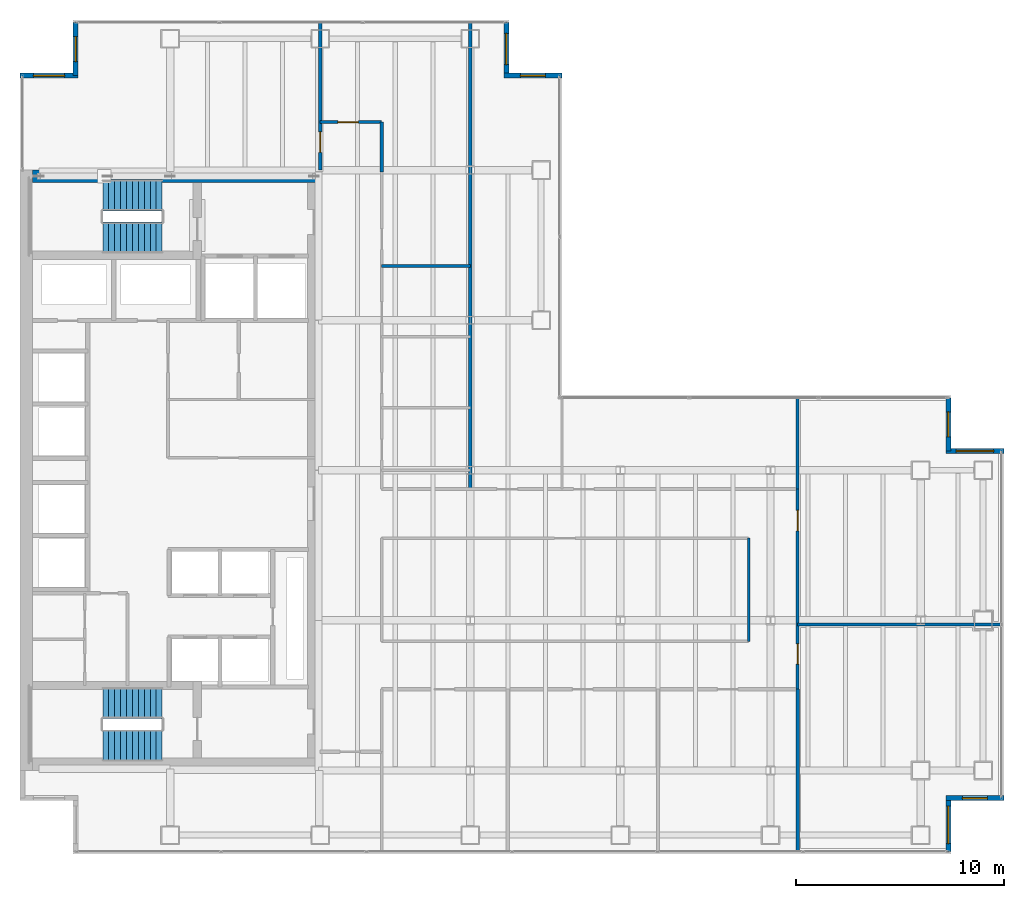
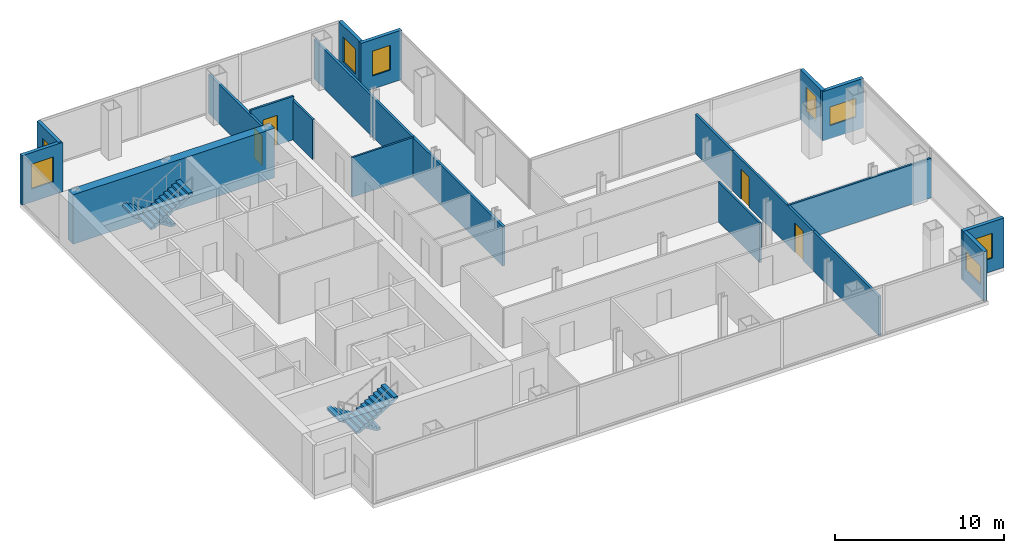
# One storey, part 22 of 23: 19 walls, 8 windows, 4 doors, 4 stair flights, 12 openings, 2 elements without a shape of their own.
"""IFC4 building model written with IfcOpenShell, lengths in metres."""

from ifc_helpers import new_model, si_unit, direction, frame, frame_2d, origin, place, context, subcontext, project, spatial, polyline, rectangle, outline, extrude, material, layer, layer_set, type_object, element, fill, aggregate, save


model = new_model("IFC4")

# Units and contexts
model_context = context("Model", 3, precision=1e-05, world=origin(), true_north=direction((0.0, 1.0)))
body_context = subcontext(model_context, "Body", "Model", "MODEL_VIEW")
ifc_project = project(units=[si_unit("LENGTHUNIT", "METRE"), si_unit("AREAUNIT", "SQUARE_METRE"), si_unit("VOLUMEUNIT", "CUBIC_METRE"), si_unit("PLANEANGLEUNIT", "RADIAN"), si_unit("MASSUNIT", "GRAM", prefix="KILO")], contexts=[model_context])

# Site, building, storey
site_placement = place(None, origin())
site = spatial("IfcSite", under=ifc_project, at=site_placement, CompositionType="ELEMENT")
building_placement = place(site_placement, origin())
building = spatial("IfcBuilding", under=site, at=building_placement, Name="Cobrela Telecom Tower", CompositionType="ELEMENT")
storey_placement = place(building_placement, frame((0.0, 0.0, 129.14990234375)))
storey = spatial("IfcBuildingStorey", under=building, at=storey_placement, Name="L32", CompositionType="ELEMENT", Elevation=129.14990234375)

# Wall
ifc_material_1 = material(Name="Concrete C50/60", Category="concrete")
ifc_layer_1 = layer(ifc_material_1, 0.60009765625)
ifc_layer_set_1 = layer_set([ifc_layer_1], Name="Concrete C50/60")
wall_type_1 = type_object("IfcWallType", Name="WALL-CORE-C50-600", PredefinedType="SHEAR", material=ifc_layer_set_1)
wall_1_placement = place(storey_placement, frame((0.60009765625, 35.699951171875, 0.0), z_axis=(0.0, 0.0, 1.0), x_axis=(1.0, 0.0, 0.0)))
element("IfcWall", 1, at=wall_1_placement, inside=storey, type_object=wall_type_1, Name="L32 North Core Shear Wall", PredefinedType="SHEAR", context=body_context, shape_type="SweptSolid", body=[
    extrude(rectangle(XDim=13.7998046875, YDim=0.60009765625, at=frame_2d((6.89990234375, 0.0))), origin(), (0.0, 0.0, 1.0), 3.580078125),
])

# Wall, opening, window
ifc_material_2 = material(Name="Concrete C40/50", Category="concrete")
ifc_layer_2 = layer(ifc_material_2, 0.239990234375)
ifc_layer_set_2 = layer_set([ifc_layer_2], Name="Concrete C40/50")
wall_type_2 = type_object("IfcWallType", Name="WALL-EXT-300", PredefinedType="STANDARD", material=ifc_layer_set_2)
wall_2_placement = place(storey_placement, frame((0.0, 40.530029296875, 0.0), z_axis=(0.0, 0.0, 1.0), x_axis=(1.0, 0.0, 0.0)))
wall_2 = element("IfcWall", 2, at=wall_2_placement, inside=storey, type_object=wall_type_2, Name="L32 Insulated Facade Wall 05", PredefinedType="STANDARD", context=body_context, shape_type="SweptSolid", body=[
    extrude(rectangle(XDim=2.7900390625, YDim=0.239990234375, at=frame_2d((1.39501953125, 0.0))), origin(), (0.0, 0.0, 1.0), 3.580078125),
])
opening_1_placement = place(wall_2_placement, frame((0.64501953125, 0.0, 0.949951171875)))
opening_1 = element("IfcOpeningElement", 3, at=opening_1_placement, cuts=wall_2, Name="Opening WN-45", PredefinedType="OPENING", context=body_context, shape_type="SweptSolid", body=[
    extrude(rectangle(XDim=1.5, YDim=1.800048828125, at=frame_2d((0.75, 0.89990234375))), frame((0.0, 0.1318359375, 0.0), z_axis=(0.0, -1.0, 0.0), x_axis=(1.0, 0.0, 0.0)), (0.0, 0.0, 1.0), 0.263916015625),
])
ifc_material_3 = material(Name="Solar-Control Bronze Low-E Glass", Category="glass")
window_type_1 = type_object("IfcWindowType", Name="WIN-MOD-1500", PartitioningType="SINGLE_PANEL", PredefinedType="WINDOW", material=ifc_material_3)
window_1_placement = place(opening_1_placement, origin())
window_1 = element("IfcWindow", 4, at=window_1_placement, inside=storey, type_object=window_type_1, Name="L32 Corner Notch Facade Window 152", OverallHeight=1.800048828125, OverallWidth=1.5, PartitioningType="SINGLE_PANEL", PredefinedType="WINDOW", context=body_context, shape_type="SweptSolid", body=[
    extrude(rectangle(XDim=1.5, YDim=1.800048828125, at=frame_2d((0.75, 0.89990234375))), frame((0.0, 0.030029296875, 0.0), z_axis=(0.0, -1.0, 0.0), x_axis=(1.0, 0.0, 0.0)), (0.0, 0.0, 1.0), 0.06005859375),
])
fill(opening_1, window_1)

wall_3_placement = place(storey_placement, frame((2.669921875, 40.530029296875, 0.0), z_axis=(0.0, 0.0, 1.0), x_axis=(0.0, 1.0, 0.0)))
wall_3 = element("IfcWall", 5, at=wall_3_placement, inside=storey, type_object=wall_type_2, Name="L32 Insulated Facade Wall 06", PredefinedType="STANDARD", context=body_context, shape_type="SweptSolid", body=[
    extrude(rectangle(XDim=2.550048828125, YDim=0.239990234375, at=frame_2d((1.27490234375, 0.0))), origin(), (0.0, 0.0, 1.0), 3.580078125),
])
opening_2_placement = place(wall_3_placement, frame((0.675048828125, 0.0, 0.949951171875)))
opening_2 = element("IfcOpeningElement", 6, at=opening_2_placement, cuts=wall_3, Name="Opening WN-19", PredefinedType="OPENING", context=body_context, shape_type="SweptSolid", body=[
    extrude(rectangle(XDim=1.199951171875, YDim=1.800048828125, at=frame_2d((0.60009765625, 0.89990234375))), frame((0.0, 0.1318359375, 0.0), z_axis=(0.0, -1.0, 0.0), x_axis=(1.0, 0.0, 0.0)), (0.0, 0.0, 1.0), 0.263916015625),
])
window_type_2 = type_object("IfcWindowType", Name="WIN-MOD-1200", PartitioningType="SINGLE_PANEL", PredefinedType="WINDOW", material=ifc_material_3)
window_2_placement = place(opening_2_placement, origin())
window_2 = element("IfcWindow", 7, at=window_2_placement, inside=storey, type_object=window_type_2, Name="L32 Corner Notch Facade Window 153", OverallHeight=1.800048828125, OverallWidth=1.199951171875, PartitioningType="SINGLE_PANEL", PredefinedType="WINDOW", context=body_context, shape_type="SweptSolid", body=[
    extrude(rectangle(XDim=1.199951171875, YDim=1.800048828125, at=frame_2d((0.60009765625, 0.89990234375))), frame((0.0, 0.030029296875, 0.0), z_axis=(0.0, -1.0, 0.0), x_axis=(1.0, 0.0, 0.0)), (0.0, 0.0, 1.0), 0.06005859375),
])
fill(opening_2, window_2)

wall_4_placement = place(storey_placement, frame((23.330078125, 43.080078125, 0.0), z_axis=(0.0, 0.0, 1.0), x_axis=(0.0, -1.0, 0.0)))
wall_4 = element("IfcWall", 8, at=wall_4_placement, inside=storey, type_object=wall_type_2, Name="L32 Insulated Facade Wall 08", PredefinedType="STANDARD", context=body_context, shape_type="SweptSolid", body=[
    extrude(rectangle(XDim=2.550048828125, YDim=0.239990234375, at=frame_2d((1.27490234375, 0.0))), origin(), (0.0, 0.0, 1.0), 3.580078125),
])
opening_3_placement = place(wall_4_placement, frame((0.52490234375, 0.0, 0.949951171875)))
opening_3 = element("IfcOpeningElement", 9, at=opening_3_placement, cuts=wall_4, Name="Opening WN-45", PredefinedType="OPENING", context=body_context, shape_type="SweptSolid", body=[
    extrude(rectangle(XDim=1.5, YDim=1.800048828125, at=frame_2d((0.75, 0.89990234375))), frame((0.0, 0.1318359375, 0.0), z_axis=(0.0, -1.0, 0.0), x_axis=(1.0, 0.0, 0.0)), (0.0, 0.0, 1.0), 0.263916015625),
])
window_3_placement = place(opening_3_placement, origin())
window_3 = element("IfcWindow", 10, at=window_3_placement, inside=storey, type_object=window_type_1, Name="L32 Corner Notch Facade Window 154", OverallHeight=1.800048828125, OverallWidth=1.5, PartitioningType="SINGLE_PANEL", PredefinedType="WINDOW", context=body_context, shape_type="SweptSolid", body=[
    extrude(rectangle(XDim=1.5, YDim=1.800048828125, at=frame_2d((0.75, 0.89990234375))), frame((0.0, 0.030029296875, 0.0), z_axis=(0.0, -1.0, 0.0), x_axis=(1.0, 0.0, 0.0)), (0.0, 0.0, 1.0), 0.06005859375),
])
fill(opening_3, window_3)

wall_5_placement = place(storey_placement, frame((23.2099609375, 40.530029296875, 0.0), z_axis=(0.0, 0.0, 1.0), x_axis=(1.0, 0.0, 0.0)))
wall_5 = element("IfcWall", 11, at=wall_5_placement, inside=storey, type_object=wall_type_2, Name="L32 Insulated Facade Wall 09", PredefinedType="STANDARD", context=body_context, shape_type="SweptSolid", body=[
    extrude(rectangle(XDim=2.7900390625, YDim=0.239990234375, at=frame_2d((1.39501953125, 0.0))), origin(), (0.0, 0.0, 1.0), 3.580078125),
])
opening_4_placement = place(wall_5_placement, frame((0.794921875, 0.0, 0.949951171875)))
opening_4 = element("IfcOpeningElement", 12, at=opening_4_placement, cuts=wall_5, Name="Opening WN-19", PredefinedType="OPENING", context=body_context, shape_type="SweptSolid", body=[
    extrude(rectangle(XDim=1.199951171875, YDim=1.800048828125, at=frame_2d((0.60009765625, 0.89990234375))), frame((0.0, 0.1318359375, 0.0), z_axis=(0.0, -1.0, 0.0), x_axis=(1.0, 0.0, 0.0)), (0.0, 0.0, 1.0), 0.263916015625),
])
window_4_placement = place(opening_4_placement, origin())
window_4 = element("IfcWindow", 13, at=window_4_placement, inside=storey, type_object=window_type_2, Name="L32 Corner Notch Facade Window 155", OverallHeight=1.800048828125, OverallWidth=1.199951171875, PartitioningType="SINGLE_PANEL", PredefinedType="WINDOW", context=body_context, shape_type="SweptSolid", body=[
    extrude(rectangle(XDim=1.199951171875, YDim=1.800048828125, at=frame_2d((0.60009765625, 0.89990234375))), frame((0.0, 0.030029296875, 0.0), z_axis=(0.0, -1.0, 0.0), x_axis=(1.0, 0.0, 0.0)), (0.0, 0.0, 1.0), 0.06005859375),
])
fill(opening_4, window_4)

wall_6_placement = place(storey_placement, frame((44.530029296875, 25.080078125, 0.0), z_axis=(0.0, 0.0, 1.0), x_axis=(0.0, -1.0, 0.0)))
wall_6 = element("IfcWall", 14, at=wall_6_placement, inside=storey, type_object=wall_type_2, Name="L32 Insulated Facade Wall 12", PredefinedType="STANDARD", context=body_context, shape_type="SweptSolid", body=[
    extrude(rectangle(XDim=2.550048828125, YDim=0.239990234375, at=frame_2d((1.27490234375, 0.0))), origin(), (0.0, 0.0, 1.0), 3.580078125),
])
opening_5_placement = place(wall_6_placement, frame((0.675048828125, 0.0, 0.949951171875)))
opening_5 = element("IfcOpeningElement", 15, at=opening_5_placement, cuts=wall_6, Name="Opening WN-19", PredefinedType="OPENING", context=body_context, shape_type="SweptSolid", body=[
    extrude(rectangle(XDim=1.199951171875, YDim=1.800048828125, at=frame_2d((0.60009765625, 0.89990234375))), frame((0.0, 0.1318359375, 0.0), z_axis=(0.0, -1.0, 0.0), x_axis=(1.0, 0.0, 0.0)), (0.0, 0.0, 1.0), 0.263916015625),
])
window_5_placement = place(opening_5_placement, origin())
window_5 = element("IfcWindow", 16, at=window_5_placement, inside=storey, type_object=window_type_2, Name="L32 Corner Notch Facade Window 156", OverallHeight=1.800048828125, OverallWidth=1.199951171875, PartitioningType="SINGLE_PANEL", PredefinedType="WINDOW", context=body_context, shape_type="SweptSolid", body=[
    extrude(rectangle(XDim=1.199951171875, YDim=1.800048828125, at=frame_2d((0.60009765625, 0.89990234375))), frame((0.0, 0.030029296875, 0.0), z_axis=(0.0, -1.0, 0.0), x_axis=(1.0, 0.0, 0.0)), (0.0, 0.0, 1.0), 0.06005859375),
])
fill(opening_5, window_5)

wall_7_placement = place(storey_placement, frame((44.409912109375, 22.530029296875, 0.0), z_axis=(0.0, 0.0, 1.0), x_axis=(1.0, 0.0, 0.0)))
wall_7 = element("IfcWall", 17, at=wall_7_placement, inside=storey, type_object=wall_type_2, Name="L32 Insulated Facade Wall 13", PredefinedType="STANDARD", context=body_context, shape_type="SweptSolid", body=[
    extrude(rectangle(XDim=2.7900390625, YDim=0.239990234375, at=frame_2d((1.39501953125, 0.0))), origin(), (0.0, 0.0, 1.0), 3.580078125),
])
opening_6_placement = place(wall_7_placement, frame((0.4951171875, 0.0, 0.949951171875)))
opening_6 = element("IfcOpeningElement", 18, at=opening_6_placement, cuts=wall_7, Name="Opening WN-27", PredefinedType="OPENING", context=body_context, shape_type="SweptSolid", body=[
    extrude(rectangle(XDim=1.800048828125, YDim=1.35009765625, at=frame_2d((0.89990234375, 0.675048828125))), frame((0.0, 0.1318359375, 0.0), z_axis=(0.0, -1.0, 0.0), x_axis=(1.0, 0.0, 0.0)), (0.0, 0.0, 1.0), 0.263916015625),
])
window_type_3 = type_object("IfcWindowType", Name="WIN-CLER-1800", PartitioningType="SINGLE_PANEL", PredefinedType="WINDOW", material=ifc_material_3)
window_6_placement = place(opening_6_placement, origin())
window_6 = element("IfcWindow", 19, at=window_6_placement, inside=storey, type_object=window_type_3, Name="L32 Corner Notch Facade Window 157", OverallHeight=1.35009765625, OverallWidth=1.800048828125, PartitioningType="SINGLE_PANEL", PredefinedType="WINDOW", context=body_context, shape_type="SweptSolid", body=[
    extrude(rectangle(XDim=1.800048828125, YDim=1.35009765625, at=frame_2d((0.89990234375, 0.675048828125))), frame((0.0, 0.030029296875, 0.0), z_axis=(0.0, -1.0, 0.0), x_axis=(1.0, 0.0, 0.0)), (0.0, 0.0, 1.0), 0.06005859375),
])
fill(opening_6, window_6)

wall_8_placement = place(storey_placement, frame((47.199951171875, 5.8701171875, 0.0), z_axis=(0.0, 0.0, 1.0), x_axis=(-1.0, 0.0, 0.0)))
wall_8 = element("IfcWall", 20, at=wall_8_placement, inside=storey, type_object=wall_type_2, Name="L32 Insulated Facade Wall 15", PredefinedType="STANDARD", context=body_context, shape_type="SweptSolid", body=[
    extrude(rectangle(XDim=2.7900390625, YDim=0.239990234375, at=frame_2d((1.39501953125, 0.0))), origin(), (0.0, 0.0, 1.0), 3.580078125),
])
opening_7_placement = place(wall_8_placement, frame((0.794921875, 0.0, 0.949951171875)))
opening_7 = element("IfcOpeningElement", 21, at=opening_7_placement, cuts=wall_8, Name="Opening WN-19", PredefinedType="OPENING", context=body_context, shape_type="SweptSolid", body=[
    extrude(rectangle(XDim=1.199951171875, YDim=1.800048828125, at=frame_2d((0.60009765625, 0.89990234375))), frame((0.0, 0.1318359375, 0.0), z_axis=(0.0, -1.0, 0.0), x_axis=(1.0, 0.0, 0.0)), (0.0, 0.0, 1.0), 0.263916015625),
])
window_7_placement = place(opening_7_placement, origin())
window_7 = element("IfcWindow", 22, at=window_7_placement, inside=storey, type_object=window_type_2, Name="L32 Corner Notch Facade Window 158", OverallHeight=1.800048828125, OverallWidth=1.199951171875, PartitioningType="SINGLE_PANEL", PredefinedType="WINDOW", context=body_context, shape_type="SweptSolid", body=[
    extrude(rectangle(XDim=1.199951171875, YDim=1.800048828125, at=frame_2d((0.60009765625, 0.89990234375))), frame((0.0, 0.030029296875, 0.0), z_axis=(0.0, -1.0, 0.0), x_axis=(1.0, 0.0, 0.0)), (0.0, 0.0, 1.0), 0.06005859375),
])
fill(opening_7, window_7)

wall_9_placement = place(storey_placement, frame((44.530029296875, 5.8701171875, 0.0), z_axis=(0.0, 0.0, 1.0), x_axis=(0.0, -1.0, 0.0)))
wall_9 = element("IfcWall", 23, at=wall_9_placement, inside=storey, type_object=wall_type_2, Name="L32 Insulated Facade Wall 16", PredefinedType="STANDARD", context=body_context, shape_type="SweptSolid", body=[
    extrude(rectangle(XDim=2.550048828125, YDim=0.239990234375, at=frame_2d((1.27490234375, 0.0))), origin(), (0.0, 0.0, 1.0), 3.580078125),
])
opening_8_placement = place(wall_9_placement, frame((0.375, 0.0, 0.949951171875)))
opening_8 = element("IfcOpeningElement", 24, at=opening_8_placement, cuts=wall_9, Name="Opening WN-27", PredefinedType="OPENING", context=body_context, shape_type="SweptSolid", body=[
    extrude(rectangle(XDim=1.800048828125, YDim=1.35009765625, at=frame_2d((0.89990234375, 0.675048828125))), frame((0.0, 0.1318359375, 0.0), z_axis=(0.0, -1.0, 0.0), x_axis=(1.0, 0.0, 0.0)), (0.0, 0.0, 1.0), 0.263916015625),
])
window_8_placement = place(opening_8_placement, origin())
window_8 = element("IfcWindow", 25, at=window_8_placement, inside=storey, type_object=window_type_3, Name="L32 Corner Notch Facade Window 159", OverallHeight=1.35009765625, OverallWidth=1.800048828125, PartitioningType="SINGLE_PANEL", PredefinedType="WINDOW", context=body_context, shape_type="SweptSolid", body=[
    extrude(rectangle(XDim=1.800048828125, YDim=1.35009765625, at=frame_2d((0.89990234375, 0.675048828125))), frame((0.0, 0.030029296875, 0.0), z_axis=(0.0, -1.0, 0.0), x_axis=(1.0, 0.0, 0.0)), (0.0, 0.0, 1.0), 0.06005859375),
])
fill(opening_8, window_8)

# Walls
ifc_material_4 = material(Name="Fire-Rated Gypsum Plasterboard")
ifc_layer_3 = layer(ifc_material_4, 0.125)
ifc_layer_set_3 = layer_set([ifc_layer_3], Name="Fire-Rated Gypsum Plasterboard")
wall_type_3 = type_object("IfcWallType", Name="WALL-PART-125", PredefinedType="PARTITIONING", material=ifc_layer_set_3)
wall_10_placement = place(storey_placement, frame((34.949951171875, 13.39990234375, 0.0), z_axis=(0.0, 0.0, 1.0), x_axis=(0.0, 1.0, 0.0)))
element("IfcWall", 26, at=wall_10_placement, inside=storey, type_object=wall_type_3, Name="L32 Interior Partition W-ISL-E", PredefinedType="PARTITIONING", context=body_context, shape_type="SweptSolid", body=[
    extrude(rectangle(XDim=4.9501953125, YDim=0.125, at=frame_2d((2.47509765625, 0.0))), origin(), (0.0, 0.0, 1.0), 2.869140625),
])
wall_11_placement = place(storey_placement, frame((17.35009765625, 31.39990234375, 0.0), z_axis=(0.0, 0.0, 1.0), x_axis=(1.0, 0.0, 0.0)))
element("IfcWall", 27, at=wall_11_placement, inside=storey, type_object=wall_type_3, Name="L32 Interior Partition W-WC-3", PredefinedType="PARTITIONING", context=body_context, shape_type="SweptSolid", body=[
    extrude(rectangle(XDim=4.25, YDim=0.125, at=frame_2d((2.125, 0.0))), origin(), (0.0, 0.0, 1.0), 2.869140625),
])

# Wall, opening, door
ifc_layer_4 = layer(ifc_material_4, 0.135009765625)
ifc_layer_set_4 = layer_set([ifc_layer_4], Name="Fire-Rated Gypsum Plasterboard")
wall_type_4 = type_object("IfcWallType", Name="WALL-PART-135", PredefinedType="PARTITIONING", material=ifc_layer_set_4)
wall_12_placement = place(storey_placement, frame((14.39990234375, 38.300048828125, 0.0), z_axis=(0.0, 0.0, 1.0), x_axis=(1.0, 0.0, 0.0)))
wall_12 = element("IfcWall", 28, at=wall_12_placement, inside=storey, type_object=wall_type_4, Name="L32 Interior Partition W-UWN-T", PredefinedType="PARTITIONING", context=body_context, shape_type="SweptSolid", body=[
    extrude(rectangle(XDim=2.9501953125, YDim=0.135009765625, at=frame_2d((1.47509765625, 0.0))), origin(), (0.0, 0.0, 1.0), 3.148193359375),
])
opening_9_placement = place(wall_12_placement, frame((0.85009765625, 0.0, 0.0)))
opening_9 = element("IfcOpeningElement", 29, at=opening_9_placement, cuts=wall_12, Name="Opening DR-17", PredefinedType="OPENING", context=body_context, shape_type="SweptSolid", body=[
    extrude(rectangle(XDim=0.97998046875, YDim=2.14990234375, at=frame_2d((0.489990234375, 1.074951171875))), frame((0.0, 0.07958984375, 0.0), z_axis=(0.0, -1.0, 0.0), x_axis=(1.0, 0.0, 0.0)), (0.0, 0.0, 1.0), 0.158935546875),
])
ifc_material_5 = material(Name="Solid Engineered Oak Timber", Category="wood")
door_type = type_object("IfcDoorType", Name="DOOR-INT-980", OperationType="SINGLE_SWING_LEFT", PredefinedType="DOOR", material=ifc_material_5)
door_1_placement = place(opening_9_placement, origin())
door_1 = element("IfcDoor", 30, at=door_1_placement, inside=storey, type_object=door_type, Name="L32 Door DR-17", OperationType="SINGLE_SWING_RIGHT", OverallHeight=2.14990234375, OverallWidth=0.97998046875, PredefinedType="DOOR", context=body_context, shape_type="SweptSolid", body=[
    extrude(rectangle(XDim=0.97998046875, YDim=2.14990234375, at=frame_2d((0.489990234375, 1.074951171875))), frame((0.0, 0.02490234375, 0.0), z_axis=(0.0, -1.0, 0.0), x_axis=(1.0, 0.0, 0.0)), (0.0, 0.0, 1.0), 0.050048828125),
])
fill(opening_9, door_1)

# Wall
wall_13_placement = place(storey_placement, frame((37.300048828125, 14.199951171875, 0.0), z_axis=(0.0, 0.0, 1.0), x_axis=(1.0, 0.0, 0.0)))
element("IfcWall", 31, at=wall_13_placement, inside=storey, type_object=wall_type_4, Name="L32 Interior Partition W-UFE-H", PredefinedType="PARTITIONING", context=body_context, shape_type="SweptSolid", body=[
    extrude(rectangle(XDim=9.780029296875, YDim=0.135009765625, at=frame_2d((4.89013671875, 0.0))), origin(), (0.0, 0.0, 1.0), 2.869140625),
])

# Wall, openings, doors
ifc_layer_5 = layer(ifc_material_4, 0.14990234375)
ifc_layer_set_5 = layer_set([ifc_layer_5], Name="Fire-Rated Gypsum Plasterboard")
wall_type_5 = type_object("IfcWallType", Name="WALL-PART-150", PredefinedType="PARTITIONING", material=ifc_layer_set_5)
wall_14_placement = place(storey_placement, frame((37.300048828125, 11.10009765625, 0.0), z_axis=(0.0, 0.0, 1.0), x_axis=(0.0, 1.0, 0.0)))
wall_14 = element("IfcWall", 32, at=wall_14_placement, inside=storey, type_object=wall_type_5, Name="L32 Interior Partition W-UE-E", PredefinedType="PARTITIONING", context=body_context, shape_type="SweptSolid", body=[
    extrude(rectangle(XDim=9.599853515625, YDim=0.14990234375, at=frame_2d((4.7998046875, 0.0))), origin(), (0.0, 0.0, 1.0), 2.869140625),
])
opening_10_placement = place(wall_14_placement, frame((1.199951171875, 0.0, 0.0)))
opening_10 = element("IfcOpeningElement", 33, at=opening_10_placement, cuts=wall_14, Name="Opening DR-17", PredefinedType="OPENING", context=body_context, shape_type="SweptSolid", body=[
    extrude(rectangle(XDim=0.97998046875, YDim=2.14990234375, at=frame_2d((0.489990234375, 1.074951171875))), frame((0.0, 0.0869140625, 0.0), z_axis=(0.0, -1.0, 0.0), x_axis=(1.0, 0.0, 0.0)), (0.0, 0.0, 1.0), 0.173828125),
])
opening_11_placement = place(wall_14_placement, frame((7.60009765625, 0.0, 0.0)))
opening_11 = element("IfcOpeningElement", 34, at=opening_11_placement, cuts=wall_14, Name="Opening DR-17", PredefinedType="OPENING", context=body_context, shape_type="SweptSolid", body=[
    extrude(rectangle(XDim=0.97998046875, YDim=2.14990234375, at=frame_2d((0.489990234375, 1.074951171875))), frame((0.0, 0.0869140625, 0.0), z_axis=(0.0, -1.0, 0.0), x_axis=(1.0, 0.0, 0.0)), (0.0, 0.0, 1.0), 0.173828125),
])
door_2_placement = place(opening_10_placement, origin())
door_2 = element("IfcDoor", 35, at=door_2_placement, inside=storey, type_object=door_type, Name="L32 Door DR-17", OperationType="SINGLE_SWING_LEFT", OverallHeight=2.14990234375, OverallWidth=0.97998046875, PredefinedType="DOOR", context=body_context, shape_type="SweptSolid", body=[
    extrude(rectangle(XDim=0.97998046875, YDim=2.14990234375, at=frame_2d((0.489990234375, 1.074951171875))), frame((0.0, 0.02490234375, 0.0), z_axis=(0.0, -1.0, 0.0), x_axis=(1.0, 0.0, 0.0)), (0.0, 0.0, 1.0), 0.050048828125),
])
fill(opening_10, door_2)
door_3_placement = place(opening_11_placement, origin())
door_3 = element("IfcDoor", 36, at=door_3_placement, inside=storey, type_object=door_type, Name="L32 Door DR-17", OperationType="SINGLE_SWING_RIGHT", OverallHeight=2.14990234375, OverallWidth=0.97998046875, PredefinedType="DOOR", context=body_context, shape_type="SweptSolid", body=[
    extrude(rectangle(XDim=0.97998046875, YDim=2.14990234375, at=frame_2d((0.489990234375, 1.074951171875))), frame((0.0, 0.02490234375, 0.0), z_axis=(0.0, -1.0, 0.0), x_axis=(1.0, 0.0, 0.0)), (0.0, 0.0, 1.0), 0.050048828125),
])
fill(opening_11, door_3)

# Walls
wall_15_placement = place(storey_placement, frame((17.35009765625, 35.89990234375, 0.0), z_axis=(0.0, 0.0, 1.0), x_axis=(0.0, 1.0, 0.0)))
element("IfcWall", 37, at=wall_15_placement, inside=storey, type_object=wall_type_5, Name="L32 Interior Partition W-UWN-E", PredefinedType="PARTITIONING", context=body_context, shape_type="SweptSolid", body=[
    extrude(rectangle(XDim=2.400146484375, YDim=0.14990234375, at=frame_2d((1.2001953125, 0.0))), origin(), (0.0, 0.0, 1.0), 2.869140625),
])
wall_16_placement = place(storey_placement, frame((37.300048828125, 20.699951171875, 0.0), z_axis=(0.0, 0.0, 1.0), x_axis=(0.0, 1.0, 0.0)))
element("IfcWall", 38, at=wall_16_placement, inside=storey, type_object=wall_type_5, Name="L32 Interior Partition W-UFE-N", PredefinedType="PARTITIONING", context=body_context, shape_type="SweptSolid", body=[
    extrude(rectangle(XDim=4.380126953125, YDim=0.14990234375, at=frame_2d((2.18994140625, 0.0))), origin(), (0.0, 0.0, 1.0), 2.869140625),
])
ifc_layer_6 = layer(ifc_material_4, 0.159912109375)
ifc_layer_set_6 = layer_set([ifc_layer_6], Name="Fire-Rated Gypsum Plasterboard")
wall_type_6 = type_object("IfcWallType", Name="WALL-PART-160", PredefinedType="PARTITIONING", material=ifc_layer_set_6)
wall_17_placement = place(storey_placement, frame((21.60009765625, 20.699951171875, 0.0), z_axis=(0.0, 0.0, 1.0), x_axis=(0.0, 1.0, 0.0)))
element("IfcWall", 39, at=wall_17_placement, inside=storey, type_object=wall_type_6, Name="L32 Interior Partition W-WC-E", PredefinedType="PARTITIONING", context=body_context, shape_type="SweptSolid", body=[
    extrude(rectangle(XDim=22.380126953125, YDim=0.159912109375, at=frame_2d((11.18994140625, 0.0))), origin(), (0.0, 0.0, 1.0), 2.869140625),
])

# Wall, opening, door
wall_18_placement = place(storey_placement, frame((14.39990234375, 36.0, 0.0), z_axis=(0.0, 0.0, 1.0), x_axis=(0.0, 1.0, 0.0)))
wall_18 = element("IfcWall", 40, at=wall_18_placement, inside=storey, type_object=wall_type_6, Name="L32 Interior Partition W-UWN-W", PredefinedType="PARTITIONING", context=body_context, shape_type="SweptSolid", body=[
    extrude(rectangle(XDim=7.080078125, YDim=0.159912109375, at=frame_2d((3.5400390625, 0.0))), origin(), (0.0, 0.0, 1.0), 2.869140625),
])
opening_12_placement = place(wall_18_placement, frame((0.85009765625, 0.0, 0.0)))
opening_12 = element("IfcOpeningElement", 41, at=opening_12_placement, cuts=wall_18, Name="Opening DR-17", PredefinedType="OPENING", context=body_context, shape_type="SweptSolid", body=[
    extrude(rectangle(XDim=0.97998046875, YDim=2.14990234375, at=frame_2d((0.489990234375, 1.074951171875))), frame((0.0, 0.091796875, 0.0), z_axis=(0.0, -1.0, 0.0), x_axis=(1.0, 0.0, 0.0)), (0.0, 0.0, 1.0), 0.183837890625),
])
door_4_placement = place(opening_12_placement, origin())
door_4 = element("IfcDoor", 42, at=door_4_placement, inside=storey, type_object=door_type, Name="L32 Door DR-17", OperationType="SINGLE_SWING_LEFT", OverallHeight=2.14990234375, OverallWidth=0.97998046875, PredefinedType="DOOR", context=body_context, shape_type="SweptSolid", body=[
    extrude(rectangle(XDim=0.97998046875, YDim=2.14990234375, at=frame_2d((0.489990234375, 1.074951171875))), frame((0.0, 0.02490234375, 0.0), z_axis=(0.0, -1.0, 0.0), x_axis=(1.0, 0.0, 0.0)), (0.0, 0.0, 1.0), 0.050048828125),
])
fill(opening_12, door_4)

# Wall
wall_19_placement = place(storey_placement, frame((37.300048828125, 3.320068359375, 0.0), z_axis=(0.0, 0.0, 1.0), x_axis=(0.0, 1.0, 0.0)))
element("IfcWall", 43, at=wall_19_placement, inside=storey, type_object=wall_type_6, Name="L32 Interior Partition W-UFE-S", PredefinedType="PARTITIONING", context=body_context, shape_type="SweptSolid", body=[
    extrude(rectangle(XDim=7.780029296875, YDim=0.159912109375, at=frame_2d((3.89013671875, 0.0))), origin(), (0.0, 0.0, 1.0), 2.869140625),
])

# Stair, stair flights
stair_type = type_object("IfcStairType", Name="STAIR-CORE", PredefinedType="HALF_TURN_STAIR", material=ifc_material_2)
stair_1_placement = place(storey_placement, origin())
stair_1 = element("IfcStair", 44, at=stair_1_placement, inside=storey, type_object=stair_type, Name="L32 Smokeproof Exit Stair ST1", PredefinedType="HALF_TURN_STAIR")
stair_flight_type = type_object("IfcStairFlightType", Name="FLIGHT-CORE", PredefinedType="STRAIGHT", material=ifc_material_2)
stair_flight_1_placement = place(storey_placement, frame((6.820068359375, 34.800048828125, 0.0), z_axis=(0.0, 0.0, 1.0), x_axis=(-1.0, 0.0, 0.0)))
stair_flight_1 = element("IfcStairFlight", 45, at=stair_flight_1_placement, type_object=stair_flight_type, Name="ST1 flight 1", NumberOfRisers=11, NumberOfTreads=10, PredefinedType="STRAIGHT", RiserHeight=0.175, TreadLength=0.285, context=body_context, shape_type="SweptSolid", body=[
    extrude(outline(polyline([(0.0, 0.0), (0.0, 0.175048828125), (0.284912109375, 0.175048828125), (0.284912109375, 0.35009765625), (0.570068359375, 0.35009765625), (0.570068359375, 0.52490234375), (0.85498046875, 0.52490234375), (0.85498046875, 0.699951171875), (1.139892578125, 0.699951171875), (1.139892578125, 0.875), (1.425048828125, 0.875), (1.425048828125, 1.050048828125), (1.7099609375, 1.050048828125), (1.7099609375, 1.22509765625), (1.9951171875, 1.22509765625), (1.9951171875, 1.39990234375), (2.280029296875, 1.39990234375), (2.280029296875, 1.574951171875), (2.56494140625, 1.574951171875), (2.56494140625, 1.75), (2.85009765625, 1.75), (2.85009765625, 1.925048828125), (2.85009765625, 1.573974609375), (0.286376953125, 0.0), (0.0, 0.0)])), frame((0.0, 0.75, 0.0), z_axis=(0.0, -1.0, 0.0), x_axis=(1.0, 0.0, 0.0)), (0.0, 0.0, 1.0), 1.5),
])
stair_flight_2_placement = place(storey_placement, frame((3.969970703125, 32.75, 1.925048828125), z_axis=(0.0, 0.0, 1.0), x_axis=(1.0, 0.0, 0.0)))
stair_flight_2 = element("IfcStairFlight", 46, at=stair_flight_2_placement, type_object=stair_flight_type, Name="ST1 flight 2", NumberOfRisers=11, NumberOfTreads=10, PredefinedType="STRAIGHT", RiserHeight=0.175, TreadLength=0.285, context=body_context, shape_type="SweptSolid", body=[
    extrude(outline(polyline([(0.0, 0.0), (0.0, 0.175048828125), (0.284912109375, 0.175048828125), (0.284912109375, 0.35009765625), (0.570068359375, 0.35009765625), (0.570068359375, 0.52490234375), (0.85498046875, 0.52490234375), (0.85498046875, 0.699951171875), (1.139892578125, 0.699951171875), (1.139892578125, 0.875), (1.425048828125, 0.875), (1.425048828125, 1.050048828125), (1.7099609375, 1.050048828125), (1.7099609375, 1.22509765625), (1.9951171875, 1.22509765625), (1.9951171875, 1.39990234375), (2.280029296875, 1.39990234375), (2.280029296875, 1.574951171875), (2.56494140625, 1.574951171875), (2.56494140625, 1.75), (2.85009765625, 1.75), (2.85009765625, 1.925048828125), (2.85009765625, 1.573974609375), (0.286376953125, 0.0), (0.0, 0.0)])), frame((0.0, 0.75, 0.0), z_axis=(0.0, -1.0, 0.0), x_axis=(1.0, 0.0, 0.0)), (0.0, 0.0, 1.0), 1.5),
])
aggregate(stair_1, [stair_flight_1, stair_flight_2])

stair_2_placement = place(storey_placement, origin())
stair_2 = element("IfcStair", 47, at=stair_2_placement, inside=storey, type_object=stair_type, Name="L32 Smokeproof Exit Stair ST2", PredefinedType="HALF_TURN_STAIR")
stair_flight_3_placement = place(storey_placement, frame((6.820068359375, 10.449951171875, 0.0), z_axis=(0.0, 0.0, 1.0), x_axis=(-1.0, 0.0, 0.0)))
stair_flight_3 = element("IfcStairFlight", 48, at=stair_flight_3_placement, type_object=stair_flight_type, Name="ST2 flight 1", NumberOfRisers=11, NumberOfTreads=10, PredefinedType="STRAIGHT", RiserHeight=0.175, TreadLength=0.285, context=body_context, shape_type="SweptSolid", body=[
    extrude(outline(polyline([(0.0, 0.0), (0.0, 0.175048828125), (0.284912109375, 0.175048828125), (0.284912109375, 0.35009765625), (0.570068359375, 0.35009765625), (0.570068359375, 0.52490234375), (0.85498046875, 0.52490234375), (0.85498046875, 0.699951171875), (1.139892578125, 0.699951171875), (1.139892578125, 0.875), (1.425048828125, 0.875), (1.425048828125, 1.050048828125), (1.7099609375, 1.050048828125), (1.7099609375, 1.22509765625), (1.9951171875, 1.22509765625), (1.9951171875, 1.39990234375), (2.280029296875, 1.39990234375), (2.280029296875, 1.574951171875), (2.56494140625, 1.574951171875), (2.56494140625, 1.75), (2.85009765625, 1.75), (2.85009765625, 1.925048828125), (2.85009765625, 1.573974609375), (0.286376953125, 0.0), (0.0, 0.0)])), frame((0.0, 0.75, 0.0), z_axis=(0.0, -1.0, 0.0), x_axis=(1.0, 0.0, 0.0)), (0.0, 0.0, 1.0), 1.5),
])
stair_flight_4_placement = place(storey_placement, frame((3.969970703125, 8.39990234375, 1.925048828125), z_axis=(0.0, 0.0, 1.0), x_axis=(1.0, 0.0, 0.0)))
stair_flight_4 = element("IfcStairFlight", 49, at=stair_flight_4_placement, type_object=stair_flight_type, Name="ST2 flight 2", NumberOfRisers=11, NumberOfTreads=10, PredefinedType="STRAIGHT", RiserHeight=0.175, TreadLength=0.285, context=body_context, shape_type="SweptSolid", body=[
    extrude(outline(polyline([(0.0, 0.0), (0.0, 0.175048828125), (0.284912109375, 0.175048828125), (0.284912109375, 0.35009765625), (0.570068359375, 0.35009765625), (0.570068359375, 0.52490234375), (0.85498046875, 0.52490234375), (0.85498046875, 0.699951171875), (1.139892578125, 0.699951171875), (1.139892578125, 0.875), (1.425048828125, 0.875), (1.425048828125, 1.050048828125), (1.7099609375, 1.050048828125), (1.7099609375, 1.22509765625), (1.9951171875, 1.22509765625), (1.9951171875, 1.39990234375), (2.280029296875, 1.39990234375), (2.280029296875, 1.574951171875), (2.56494140625, 1.574951171875), (2.56494140625, 1.75), (2.85009765625, 1.75), (2.85009765625, 1.925048828125), (2.85009765625, 1.573974609375), (0.286376953125, 0.0), (0.0, 0.0)])), frame((0.0, 0.75, 0.0), z_axis=(0.0, -1.0, 0.0), x_axis=(1.0, 0.0, 0.0)), (0.0, 0.0, 1.0), 1.5),
])
aggregate(stair_2, [stair_flight_3, stair_flight_4])

save(model, "model.ifc")
